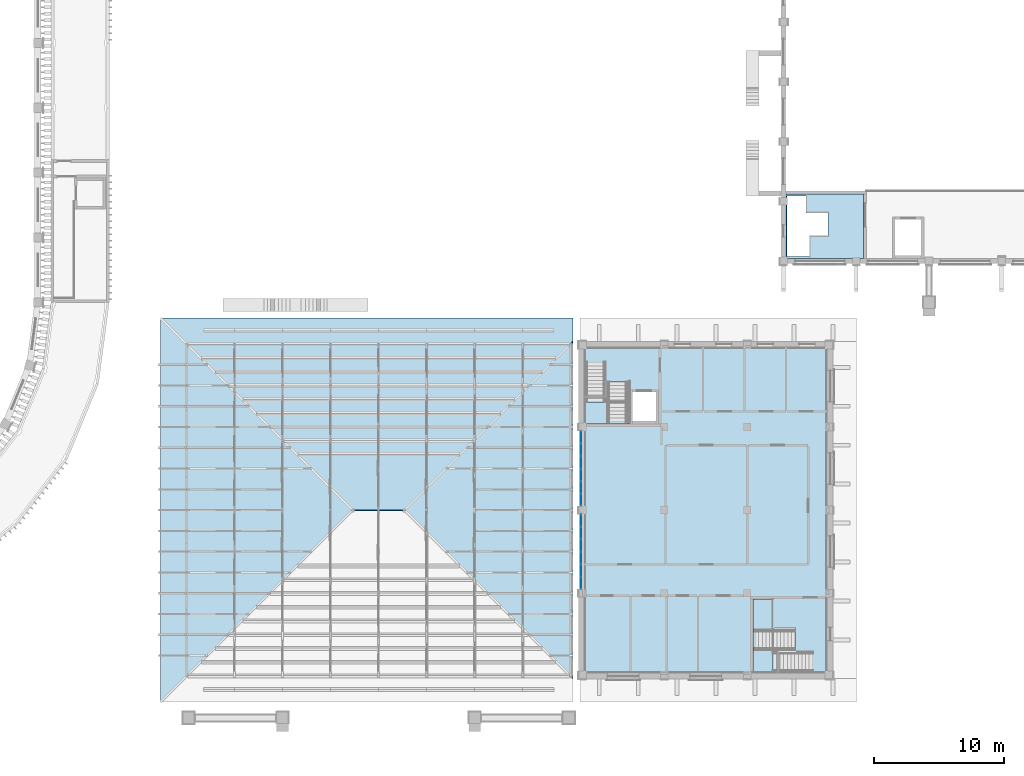
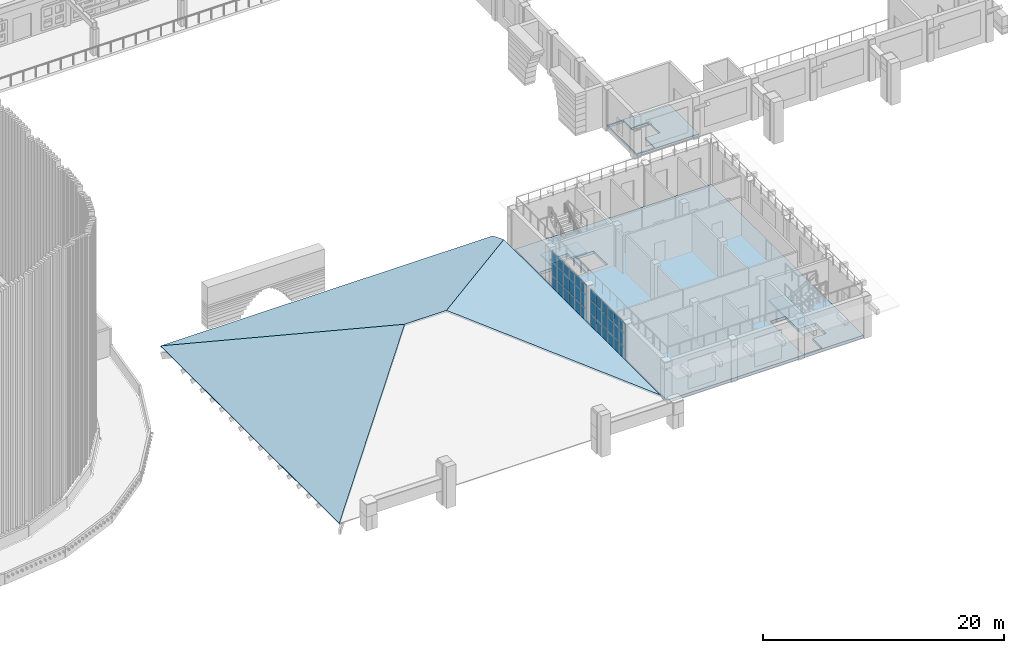
# One storey, part 18 of 68: 36 plates, 7 slabs, 4 elements without a shape of their own.
"""IFC4 building model written with IfcOpenShell, lengths in metres."""

from ifc_helpers import new_model, si_unit, direction, frame, origin, origin_2d, place, context, subcontext, project, spatial, polyline, rectangle, outline, extrude, material, layer, layer_set, type_object, element, aggregate, save


model = new_model("IFC4")

# Units and contexts
model_context = context("Model", 3, precision=1e-05, world=origin(), true_north=direction((0.0, 1.0)))
body_context = subcontext(model_context, "Body", "Model", "MODEL_VIEW")
ifc_project = project(units=[si_unit("LENGTHUNIT", "METRE"), si_unit("AREAUNIT", "SQUARE_METRE"), si_unit("VOLUMEUNIT", "CUBIC_METRE"), si_unit("PLANEANGLEUNIT", "RADIAN"), si_unit("MASSUNIT", "GRAM", prefix="KILO")], contexts=[model_context])

# Site, building, storey
site_placement = place(None, origin())
site = spatial("IfcSite", under=ifc_project, at=site_placement, CompositionType="ELEMENT")
building_placement = place(site_placement, origin())
building = spatial("IfcBuilding", under=site, at=building_placement, Name="Wasatch Bagh Community Centre", CompositionType="ELEMENT")
storey_placement = place(building_placement, frame((0.0, 0.0, 8.39990234375)))
storey = spatial("IfcBuildingStorey", under=building, at=storey_placement, Name="L02", CompositionType="ELEMENT", Elevation=8.39990234375)

# Slabs
ifc_material_1 = material(Name="ASTM A653 Grade 50 steel roof deck assembly", Category="steel")
ifc_layer_1 = layer(ifc_material_1, 0.14990234375)
ifc_layer_set_1 = layer_set([ifc_layer_1], Name="ASTM A653 Grade 50 steel roof deck assembly")
slab_type_1 = type_object("IfcSlabType", Name="DH roof deck 150", PredefinedType="ROOF", material=ifc_layer_set_1)
slab_1_placement = place(storey_placement, frame((64.199951171875, 33.800048828125, 0.30419921875), z_axis=(-2.58954e-07, 0.374600558418, 0.927186292841), x_axis=(1.0, 9.7004e-08, 2.40099e-07)))
element("IfcSlab", 1, at=slab_1_placement, inside=storey, type_object=slab_type_1, Name="DH.roof.N", PredefinedType="ROOF", context=body_context, shape_type="SweptSolid", body=[
    extrude(outline(polyline([(0.0, 0.0), (31.780029296873934, -4.2060518561187565e-22), (31.780029296876332, -1.9630055407928293), (18.8000488281235, -15.96232351931405), (14.800048828123634, -15.96232351931405), (0.0, 0.0)])), origin(), (0.0, 0.0, -1.0), 0.14990234375),
])
slab_2_placement = place(storey_placement, frame((64.199951171875, 4.199951171875, 0.30419921875), z_axis=(-0.374600363178, 0.0, 0.927186371722), x_axis=(0.0, 1.0, 0.0)))
element("IfcSlab", 2, at=slab_2_placement, inside=storey, type_object=slab_type_1, Name="DH.roof.W", PredefinedType="ROOF", context=body_context, shape_type="SweptSolid", body=[
    extrude(outline(polyline([(0.0, 0.0), (29.60009765625, 0.0), (14.800048828125, -15.962323519314403), (0.0, 0.0)])), origin(), (0.0, 0.0, -1.0), 0.14990234375),
])
slab_3_placement = place(storey_placement, frame((95.97998046875, 6.02001953125, 1.03955078125), z_axis=(0.374599722147, 0.0, 0.92718663071), x_axis=(0.0, 1.0, 0.0)))
element("IfcSlab", 3, at=slab_3_placement, inside=storey, type_object=slab_type_1, Name="DH.roof.E", PredefinedType="ROOF", context=body_context, shape_type="SweptSolid", body=[
    extrude(outline(polyline([(0.0, 0.0), (25.9599609375, 0.0), (12.97998046875, 13.999317978526912), (0.0, 0.0)])), origin(), (0.0, 0.0, -1.0), 0.14990234375),
])
ifc_material_2 = material(Name="Concrete C35", Category="concrete")
ifc_layer_2 = layer(ifc_material_2, 0.280029296875)
ifc_layer_set_2 = layer_set([ifc_layer_2], Name="Concrete C35")
slab_type_2 = type_object("IfcSlabType", Name="KW floor slab 280", PredefinedType="FLOOR", material=ifc_layer_set_2)
slab_4_placement = place(storey_placement, frame((0.0, 0.0, -0.27978515625)))
element("IfcSlab", 4, at=slab_4_placement, inside=storey, type_object=slab_type_2, Name="KW.slab.L02.floor", PredefinedType="FLOOR", context=body_context, shape_type="SweptSolid", body=[
    extrude(outline(polyline([(96.800048828125, 6.39990234375), (115.60009765625, 6.39990234375), (115.60009765625, 31.60009765625), (96.800048828125, 31.60009765625), (96.800048828125, 6.39990234375)]), holes=[polyline([(96.949951171875, 27.68798828125), (96.949951171875, 25.699951171875), (100.300048828125, 25.699951171875), (100.300048828125, 28.860107421875), (98.550048828125, 28.860107421875), (98.550048828125, 27.68798828125), (96.949951171875, 27.68798828125)]), polyline([(111.738037109375, 6.550048828125), (109.89990234375, 6.550048828125), (109.89990234375, 12.0), (111.3701171875, 12.0), (111.3701171875, 9.89990234375), (113.06005859375, 9.89990234375), (113.06005859375, 8.14990234375), (111.738037109375, 8.14990234375), (111.738037109375, 6.550048828125)]), polyline([(100.550048828125, 25.85009765625), (102.35009765625, 25.85009765625), (102.35009765625, 28.10009765625), (100.550048828125, 28.10009765625), (100.550048828125, 25.85009765625)])]), origin(), (0.0, 0.0, 1.0), 0.27978515625),
])

# Stair, slab
stair_type = type_object("IfcStairType", Name="KW stair 1500", PredefinedType="HALF_TURN_STAIR", material=ifc_material_2)
stair_1_placement = place(storey_placement, origin())
stair_1 = element("IfcStair", 5, at=stair_1_placement, inside=storey, type_object=stair_type, Name="ST4 stair", PredefinedType="HALF_TURN_STAIR")
ifc_layer_3 = layer(ifc_material_2, 0.199951171875)
ifc_layer_set_3 = layer_set([ifc_layer_3], Name="Concrete C35")
slab_type_3 = type_object("IfcSlabType", Name="KW landing 200", PredefinedType="LANDING", material=ifc_layer_set_3)
slab_5_placement = place(storey_placement, frame((0.0, 0.0, 1.900146484375)))
slab_5 = element("IfcSlab", 6, at=slab_5_placement, type_object=slab_type_3, Name="ST4 landing 1", PredefinedType="LANDING", context=body_context, shape_type="SweptSolid", body=[
    extrude(outline(polyline([(96.800048828125, 27.340087890625), (96.800048828125, 25.64990234375), (100.300048828125, 25.64990234375), (100.300048828125, 27.340087890625), (96.800048828125, 27.340087890625)])), origin(), (0.0, 0.0, 1.0), 0.199951171875),
])
aggregate(stair_1, [slab_5])

stair_2_placement = place(storey_placement, origin())
stair_2 = element("IfcStair", 7, at=stair_2_placement, inside=storey, type_object=stair_type, Name="ST5 stair", PredefinedType="HALF_TURN_STAIR")
slab_6_placement = place(storey_placement, frame((0.0, 0.0, 1.900146484375)))
slab_6 = element("IfcSlab", 8, at=slab_6_placement, type_object=slab_type_3, Name="ST5 landing 1", PredefinedType="LANDING", context=body_context, shape_type="SweptSolid", body=[
    extrude(outline(polyline([(111.389892578125, 6.39990234375), (109.85009765625, 6.39990234375), (109.85009765625, 12.14990234375), (111.389892578125, 12.14990234375), (111.389892578125, 6.39990234375)])), origin(), (0.0, 0.0, 1.0), 0.199951171875),
])
aggregate(stair_2, [slab_6])

# Curtain wall, plates
ifc_material_3 = material(Name="Aluminium alloy 6063-T6", Category="aluminium")
ifc_layer_4 = layer(ifc_material_3, 0.10009765625)
ifc_layer_set_4 = layer_set([ifc_layer_4], Name="Aluminium alloy 6063-T6")
curtain_wall_type = type_object("IfcCurtainWallType", Name="KW-CW1", PredefinedType="NOTDEFINED", material=ifc_layer_set_4)
curtain_wall_1_placement = place(storey_placement, origin())
curtain_wall_1 = element("IfcCurtainWall", 9, at=curtain_wall_1_placement, inside=storey, type_object=curtain_wall_type, Name="Curtain wall KW-CW1", PredefinedType="NOTDEFINED")
ifc_material_4 = material(Name="Laminated glass 8+8 mm", Category="glass")
ifc_layer_5 = layer(ifc_material_4, 0.028076171875)
ifc_layer_set_5 = layer_set([ifc_layer_5], Name="Laminated glass 8+8 mm")
plate_type = type_object("IfcPlateType", Name="KW-CW1 panel", PredefinedType="CURTAIN_PANEL", material=ifc_layer_set_5)
plate_1_placement = place(storey_placement, frame((96.60009765625, 13.3984375, 0.06005859375), z_axis=(0.0, 0.0, 1.0), x_axis=(0.0, 1.0, 0.0)))
plate_1 = element("IfcPlate", 10, at=plate_1_placement, type_object=plate_type, Name="KW-CW1 panel 1.1", PredefinedType="CURTAIN_PANEL", context=body_context, shape_type="SweptSolid", body=[
    extrude(rectangle(XDim=0.876708984375, YDim=0.028076171875, at=origin_2d()), origin(), (0.0, 0.0, 1.0), 1.31005859375),
])
plate_2_placement = place(storey_placement, frame((96.60009765625, 13.3984375, 1.43017578125), z_axis=(0.0, 0.0, 1.0), x_axis=(0.0, 1.0, 0.0)))
plate_2 = element("IfcPlate", 11, at=plate_2_placement, type_object=plate_type, Name="KW-CW1 panel 1.2", PredefinedType="CURTAIN_PANEL", context=body_context, shape_type="SweptSolid", body=[
    extrude(rectangle(XDim=0.876708984375, YDim=0.028076171875, at=origin_2d()), origin(), (0.0, 0.0, 1.0), 1.340087890625),
])
plate_3_placement = place(storey_placement, frame((96.60009765625, 13.3984375, 2.830078125), z_axis=(0.0, 0.0, 1.0), x_axis=(0.0, 1.0, 0.0)))
plate_3 = element("IfcPlate", 12, at=plate_3_placement, type_object=plate_type, Name="KW-CW1 panel 1.3", PredefinedType="CURTAIN_PANEL", context=body_context, shape_type="SweptSolid", body=[
    extrude(rectangle(XDim=0.876708984375, YDim=0.028076171875, at=origin_2d()), origin(), (0.0, 0.0, 1.0), 1.030029296875),
])
plate_4_placement = place(storey_placement, frame((96.60009765625, 14.35009765625, 0.06005859375), z_axis=(0.0, 0.0, 1.0), x_axis=(0.0, 1.0, 0.0)))
plate_4 = element("IfcPlate", 13, at=plate_4_placement, type_object=plate_type, Name="KW-CW1 panel 2.1", PredefinedType="CURTAIN_PANEL", context=body_context, shape_type="SweptSolid", body=[
    extrude(rectangle(XDim=0.90673828125, YDim=0.028076171875, at=origin_2d()), origin(), (0.0, 0.0, 1.0), 1.31005859375),
])
plate_5_placement = place(storey_placement, frame((96.60009765625, 14.35009765625, 1.43017578125), z_axis=(0.0, 0.0, 1.0), x_axis=(0.0, 1.0, 0.0)))
plate_5 = element("IfcPlate", 14, at=plate_5_placement, type_object=plate_type, Name="KW-CW1 panel 2.2", PredefinedType="CURTAIN_PANEL", context=body_context, shape_type="SweptSolid", body=[
    extrude(rectangle(XDim=0.90673828125, YDim=0.028076171875, at=origin_2d()), origin(), (0.0, 0.0, 1.0), 1.340087890625),
])
plate_6_placement = place(storey_placement, frame((96.60009765625, 14.35009765625, 2.830078125), z_axis=(0.0, 0.0, 1.0), x_axis=(0.0, 1.0, 0.0)))
plate_6 = element("IfcPlate", 15, at=plate_6_placement, type_object=plate_type, Name="KW-CW1 panel 2.3", PredefinedType="CURTAIN_PANEL", context=body_context, shape_type="SweptSolid", body=[
    extrude(rectangle(XDim=0.90673828125, YDim=0.028076171875, at=origin_2d()), origin(), (0.0, 0.0, 1.0), 1.030029296875),
])
plate_7_placement = place(storey_placement, frame((96.60009765625, 15.316650390625, 0.06005859375), z_axis=(0.0, 0.0, 1.0), x_axis=(0.0, 1.0, 0.0)))
plate_7 = element("IfcPlate", 16, at=plate_7_placement, type_object=plate_type, Name="KW-CW1 panel 3.1", PredefinedType="CURTAIN_PANEL", context=body_context, shape_type="SweptSolid", body=[
    extrude(rectangle(XDim=0.90673828125, YDim=0.028076171875, at=origin_2d()), origin(), (0.0, 0.0, 1.0), 1.31005859375),
])
plate_8_placement = place(storey_placement, frame((96.60009765625, 15.316650390625, 1.43017578125), z_axis=(0.0, 0.0, 1.0), x_axis=(0.0, 1.0, 0.0)))
plate_8 = element("IfcPlate", 17, at=plate_8_placement, type_object=plate_type, Name="KW-CW1 panel 3.2", PredefinedType="CURTAIN_PANEL", context=body_context, shape_type="SweptSolid", body=[
    extrude(rectangle(XDim=0.90673828125, YDim=0.028076171875, at=origin_2d()), origin(), (0.0, 0.0, 1.0), 1.340087890625),
])
plate_9_placement = place(storey_placement, frame((96.60009765625, 15.316650390625, 2.830078125), z_axis=(0.0, 0.0, 1.0), x_axis=(0.0, 1.0, 0.0)))
plate_9 = element("IfcPlate", 18, at=plate_9_placement, type_object=plate_type, Name="KW-CW1 panel 3.3", PredefinedType="CURTAIN_PANEL", context=body_context, shape_type="SweptSolid", body=[
    extrude(rectangle(XDim=0.90673828125, YDim=0.028076171875, at=origin_2d()), origin(), (0.0, 0.0, 1.0), 1.030029296875),
])
plate_10_placement = place(storey_placement, frame((96.60009765625, 16.283447265625, 0.06005859375), z_axis=(0.0, 0.0, 1.0), x_axis=(0.0, 1.0, 0.0)))
plate_10 = element("IfcPlate", 19, at=plate_10_placement, type_object=plate_type, Name="KW-CW1 panel 4.1", PredefinedType="CURTAIN_PANEL", context=body_context, shape_type="SweptSolid", body=[
    extrude(rectangle(XDim=0.90673828125, YDim=0.028076171875, at=origin_2d()), origin(), (0.0, 0.0, 1.0), 1.31005859375),
])
plate_11_placement = place(storey_placement, frame((96.60009765625, 16.283447265625, 1.43017578125), z_axis=(0.0, 0.0, 1.0), x_axis=(0.0, 1.0, 0.0)))
plate_11 = element("IfcPlate", 20, at=plate_11_placement, type_object=plate_type, Name="KW-CW1 panel 4.2", PredefinedType="CURTAIN_PANEL", context=body_context, shape_type="SweptSolid", body=[
    extrude(rectangle(XDim=0.90673828125, YDim=0.028076171875, at=origin_2d()), origin(), (0.0, 0.0, 1.0), 1.340087890625),
])
plate_12_placement = place(storey_placement, frame((96.60009765625, 16.283447265625, 2.830078125), z_axis=(0.0, 0.0, 1.0), x_axis=(0.0, 1.0, 0.0)))
plate_12 = element("IfcPlate", 21, at=plate_12_placement, type_object=plate_type, Name="KW-CW1 panel 4.3", PredefinedType="CURTAIN_PANEL", context=body_context, shape_type="SweptSolid", body=[
    extrude(rectangle(XDim=0.90673828125, YDim=0.028076171875, at=origin_2d()), origin(), (0.0, 0.0, 1.0), 1.030029296875),
])
plate_13_placement = place(storey_placement, frame((96.60009765625, 17.25, 0.06005859375), z_axis=(0.0, 0.0, 1.0), x_axis=(0.0, 1.0, 0.0)))
plate_13 = element("IfcPlate", 22, at=plate_13_placement, type_object=plate_type, Name="KW-CW1 panel 5.1", PredefinedType="CURTAIN_PANEL", context=body_context, shape_type="SweptSolid", body=[
    extrude(rectangle(XDim=0.90673828125, YDim=0.028076171875, at=origin_2d()), origin(), (0.0, 0.0, 1.0), 1.31005859375),
])
plate_14_placement = place(storey_placement, frame((96.60009765625, 17.25, 1.43017578125), z_axis=(0.0, 0.0, 1.0), x_axis=(0.0, 1.0, 0.0)))
plate_14 = element("IfcPlate", 23, at=plate_14_placement, type_object=plate_type, Name="KW-CW1 panel 5.2", PredefinedType="CURTAIN_PANEL", context=body_context, shape_type="SweptSolid", body=[
    extrude(rectangle(XDim=0.90673828125, YDim=0.028076171875, at=origin_2d()), origin(), (0.0, 0.0, 1.0), 1.340087890625),
])
plate_15_placement = place(storey_placement, frame((96.60009765625, 17.25, 2.830078125), z_axis=(0.0, 0.0, 1.0), x_axis=(0.0, 1.0, 0.0)))
plate_15 = element("IfcPlate", 24, at=plate_15_placement, type_object=plate_type, Name="KW-CW1 panel 5.3", PredefinedType="CURTAIN_PANEL", context=body_context, shape_type="SweptSolid", body=[
    extrude(rectangle(XDim=0.90673828125, YDim=0.028076171875, at=origin_2d()), origin(), (0.0, 0.0, 1.0), 1.030029296875),
])
plate_16_placement = place(storey_placement, frame((96.60009765625, 18.20166015625, 0.06005859375), z_axis=(0.0, 0.0, 1.0), x_axis=(0.0, 1.0, 0.0)))
plate_16 = element("IfcPlate", 25, at=plate_16_placement, type_object=plate_type, Name="KW-CW1 panel 6.1", PredefinedType="CURTAIN_PANEL", context=body_context, shape_type="SweptSolid", body=[
    extrude(rectangle(XDim=0.876708984375, YDim=0.028076171875, at=origin_2d()), origin(), (0.0, 0.0, 1.0), 1.31005859375),
])
plate_17_placement = place(storey_placement, frame((96.60009765625, 18.20166015625, 1.43017578125), z_axis=(0.0, 0.0, 1.0), x_axis=(0.0, 1.0, 0.0)))
plate_17 = element("IfcPlate", 26, at=plate_17_placement, type_object=plate_type, Name="KW-CW1 panel 6.2", PredefinedType="CURTAIN_PANEL", context=body_context, shape_type="SweptSolid", body=[
    extrude(rectangle(XDim=0.876708984375, YDim=0.028076171875, at=origin_2d()), origin(), (0.0, 0.0, 1.0), 1.340087890625),
])
plate_18_placement = place(storey_placement, frame((96.60009765625, 18.20166015625, 2.830078125), z_axis=(0.0, 0.0, 1.0), x_axis=(0.0, 1.0, 0.0)))
plate_18 = element("IfcPlate", 27, at=plate_18_placement, type_object=plate_type, Name="KW-CW1 panel 6.3", PredefinedType="CURTAIN_PANEL", context=body_context, shape_type="SweptSolid", body=[
    extrude(rectangle(XDim=0.876708984375, YDim=0.028076171875, at=origin_2d()), origin(), (0.0, 0.0, 1.0), 1.030029296875),
])
aggregate(curtain_wall_1, [plate_1, plate_2, plate_3, plate_4, plate_5, plate_6, plate_7, plate_8, plate_9, plate_10, plate_11, plate_12, plate_13, plate_14, plate_15, plate_16, plate_17, plate_18])

curtain_wall_2_placement = place(storey_placement, origin())
curtain_wall_2 = element("IfcCurtainWall", 28, at=curtain_wall_2_placement, inside=storey, type_object=curtain_wall_type, Name="Curtain wall KW-CW1", PredefinedType="NOTDEFINED")
plate_19_placement = place(storey_placement, frame((96.60009765625, 19.79833984375, 0.06005859375), z_axis=(0.0, 0.0, 1.0), x_axis=(0.0, 1.0, 0.0)))
plate_19 = element("IfcPlate", 29, at=plate_19_placement, type_object=plate_type, Name="KW-CW1 panel 1.1", PredefinedType="CURTAIN_PANEL", context=body_context, shape_type="SweptSolid", body=[
    extrude(rectangle(XDim=0.876708984375, YDim=0.028076171875, at=origin_2d()), origin(), (0.0, 0.0, 1.0), 1.31005859375),
])
plate_20_placement = place(storey_placement, frame((96.60009765625, 19.79833984375, 1.43017578125), z_axis=(0.0, 0.0, 1.0), x_axis=(0.0, 1.0, 0.0)))
plate_20 = element("IfcPlate", 30, at=plate_20_placement, type_object=plate_type, Name="KW-CW1 panel 1.2", PredefinedType="CURTAIN_PANEL", context=body_context, shape_type="SweptSolid", body=[
    extrude(rectangle(XDim=0.876708984375, YDim=0.028076171875, at=origin_2d()), origin(), (0.0, 0.0, 1.0), 1.340087890625),
])
plate_21_placement = place(storey_placement, frame((96.60009765625, 19.79833984375, 2.830078125), z_axis=(0.0, 0.0, 1.0), x_axis=(0.0, 1.0, 0.0)))
plate_21 = element("IfcPlate", 31, at=plate_21_placement, type_object=plate_type, Name="KW-CW1 panel 1.3", PredefinedType="CURTAIN_PANEL", context=body_context, shape_type="SweptSolid", body=[
    extrude(rectangle(XDim=0.876708984375, YDim=0.028076171875, at=origin_2d()), origin(), (0.0, 0.0, 1.0), 1.030029296875),
])
plate_22_placement = place(storey_placement, frame((96.60009765625, 20.75, 0.06005859375), z_axis=(0.0, 0.0, 1.0), x_axis=(0.0, 1.0, 0.0)))
plate_22 = element("IfcPlate", 32, at=plate_22_placement, type_object=plate_type, Name="KW-CW1 panel 2.1", PredefinedType="CURTAIN_PANEL", context=body_context, shape_type="SweptSolid", body=[
    extrude(rectangle(XDim=0.90673828125, YDim=0.028076171875, at=origin_2d()), origin(), (0.0, 0.0, 1.0), 1.31005859375),
])
plate_23_placement = place(storey_placement, frame((96.60009765625, 20.75, 1.43017578125), z_axis=(0.0, 0.0, 1.0), x_axis=(0.0, 1.0, 0.0)))
plate_23 = element("IfcPlate", 33, at=plate_23_placement, type_object=plate_type, Name="KW-CW1 panel 2.2", PredefinedType="CURTAIN_PANEL", context=body_context, shape_type="SweptSolid", body=[
    extrude(rectangle(XDim=0.90673828125, YDim=0.028076171875, at=origin_2d()), origin(), (0.0, 0.0, 1.0), 1.340087890625),
])
plate_24_placement = place(storey_placement, frame((96.60009765625, 20.75, 2.830078125), z_axis=(0.0, 0.0, 1.0), x_axis=(0.0, 1.0, 0.0)))
plate_24 = element("IfcPlate", 34, at=plate_24_placement, type_object=plate_type, Name="KW-CW1 panel 2.3", PredefinedType="CURTAIN_PANEL", context=body_context, shape_type="SweptSolid", body=[
    extrude(rectangle(XDim=0.90673828125, YDim=0.028076171875, at=origin_2d()), origin(), (0.0, 0.0, 1.0), 1.030029296875),
])
plate_25_placement = place(storey_placement, frame((96.60009765625, 21.716552734375, 0.06005859375), z_axis=(0.0, 0.0, 1.0), x_axis=(0.0, 1.0, 0.0)))
plate_25 = element("IfcPlate", 35, at=plate_25_placement, type_object=plate_type, Name="KW-CW1 panel 3.1", PredefinedType="CURTAIN_PANEL", context=body_context, shape_type="SweptSolid", body=[
    extrude(rectangle(XDim=0.90673828125, YDim=0.028076171875, at=origin_2d()), origin(), (0.0, 0.0, 1.0), 1.31005859375),
])
plate_26_placement = place(storey_placement, frame((96.60009765625, 21.716552734375, 1.43017578125), z_axis=(0.0, 0.0, 1.0), x_axis=(0.0, 1.0, 0.0)))
plate_26 = element("IfcPlate", 36, at=plate_26_placement, type_object=plate_type, Name="KW-CW1 panel 3.2", PredefinedType="CURTAIN_PANEL", context=body_context, shape_type="SweptSolid", body=[
    extrude(rectangle(XDim=0.90673828125, YDim=0.028076171875, at=origin_2d()), origin(), (0.0, 0.0, 1.0), 1.340087890625),
])
plate_27_placement = place(storey_placement, frame((96.60009765625, 21.716552734375, 2.830078125), z_axis=(0.0, 0.0, 1.0), x_axis=(0.0, 1.0, 0.0)))
plate_27 = element("IfcPlate", 37, at=plate_27_placement, type_object=plate_type, Name="KW-CW1 panel 3.3", PredefinedType="CURTAIN_PANEL", context=body_context, shape_type="SweptSolid", body=[
    extrude(rectangle(XDim=0.90673828125, YDim=0.028076171875, at=origin_2d()), origin(), (0.0, 0.0, 1.0), 1.030029296875),
])
plate_28_placement = place(storey_placement, frame((96.60009765625, 22.683349609375, 0.06005859375), z_axis=(0.0, 0.0, 1.0), x_axis=(0.0, 1.0, 0.0)))
plate_28 = element("IfcPlate", 38, at=plate_28_placement, type_object=plate_type, Name="KW-CW1 panel 4.1", PredefinedType="CURTAIN_PANEL", context=body_context, shape_type="SweptSolid", body=[
    extrude(rectangle(XDim=0.90673828125, YDim=0.028076171875, at=origin_2d()), origin(), (0.0, 0.0, 1.0), 1.31005859375),
])
plate_29_placement = place(storey_placement, frame((96.60009765625, 22.683349609375, 1.43017578125), z_axis=(0.0, 0.0, 1.0), x_axis=(0.0, 1.0, 0.0)))
plate_29 = element("IfcPlate", 39, at=plate_29_placement, type_object=plate_type, Name="KW-CW1 panel 4.2", PredefinedType="CURTAIN_PANEL", context=body_context, shape_type="SweptSolid", body=[
    extrude(rectangle(XDim=0.90673828125, YDim=0.028076171875, at=origin_2d()), origin(), (0.0, 0.0, 1.0), 1.340087890625),
])
plate_30_placement = place(storey_placement, frame((96.60009765625, 22.683349609375, 2.830078125), z_axis=(0.0, 0.0, 1.0), x_axis=(0.0, 1.0, 0.0)))
plate_30 = element("IfcPlate", 40, at=plate_30_placement, type_object=plate_type, Name="KW-CW1 panel 4.3", PredefinedType="CURTAIN_PANEL", context=body_context, shape_type="SweptSolid", body=[
    extrude(rectangle(XDim=0.90673828125, YDim=0.028076171875, at=origin_2d()), origin(), (0.0, 0.0, 1.0), 1.030029296875),
])
plate_31_placement = place(storey_placement, frame((96.60009765625, 23.64990234375, 0.06005859375), z_axis=(0.0, 0.0, 1.0), x_axis=(0.0, 1.0, 0.0)))
plate_31 = element("IfcPlate", 41, at=plate_31_placement, type_object=plate_type, Name="KW-CW1 panel 5.1", PredefinedType="CURTAIN_PANEL", context=body_context, shape_type="SweptSolid", body=[
    extrude(rectangle(XDim=0.90673828125, YDim=0.028076171875, at=origin_2d()), origin(), (0.0, 0.0, 1.0), 1.31005859375),
])
plate_32_placement = place(storey_placement, frame((96.60009765625, 23.64990234375, 1.43017578125), z_axis=(0.0, 0.0, 1.0), x_axis=(0.0, 1.0, 0.0)))
plate_32 = element("IfcPlate", 42, at=plate_32_placement, type_object=plate_type, Name="KW-CW1 panel 5.2", PredefinedType="CURTAIN_PANEL", context=body_context, shape_type="SweptSolid", body=[
    extrude(rectangle(XDim=0.90673828125, YDim=0.028076171875, at=origin_2d()), origin(), (0.0, 0.0, 1.0), 1.340087890625),
])
plate_33_placement = place(storey_placement, frame((96.60009765625, 23.64990234375, 2.830078125), z_axis=(0.0, 0.0, 1.0), x_axis=(0.0, 1.0, 0.0)))
plate_33 = element("IfcPlate", 43, at=plate_33_placement, type_object=plate_type, Name="KW-CW1 panel 5.3", PredefinedType="CURTAIN_PANEL", context=body_context, shape_type="SweptSolid", body=[
    extrude(rectangle(XDim=0.90673828125, YDim=0.028076171875, at=origin_2d()), origin(), (0.0, 0.0, 1.0), 1.030029296875),
])
plate_34_placement = place(storey_placement, frame((96.60009765625, 24.6015625, 0.06005859375), z_axis=(0.0, 0.0, 1.0), x_axis=(0.0, 1.0, 0.0)))
plate_34 = element("IfcPlate", 44, at=plate_34_placement, type_object=plate_type, Name="KW-CW1 panel 6.1", PredefinedType="CURTAIN_PANEL", context=body_context, shape_type="SweptSolid", body=[
    extrude(rectangle(XDim=0.876708984375, YDim=0.028076171875, at=origin_2d()), origin(), (0.0, 0.0, 1.0), 1.31005859375),
])
plate_35_placement = place(storey_placement, frame((96.60009765625, 24.6015625, 1.43017578125), z_axis=(0.0, 0.0, 1.0), x_axis=(0.0, 1.0, 0.0)))
plate_35 = element("IfcPlate", 45, at=plate_35_placement, type_object=plate_type, Name="KW-CW1 panel 6.2", PredefinedType="CURTAIN_PANEL", context=body_context, shape_type="SweptSolid", body=[
    extrude(rectangle(XDim=0.876708984375, YDim=0.028076171875, at=origin_2d()), origin(), (0.0, 0.0, 1.0), 1.340087890625),
])
plate_36_placement = place(storey_placement, frame((96.60009765625, 24.6015625, 2.830078125), z_axis=(0.0, 0.0, 1.0), x_axis=(0.0, 1.0, 0.0)))
plate_36 = element("IfcPlate", 46, at=plate_36_placement, type_object=plate_type, Name="KW-CW1 panel 6.3", PredefinedType="CURTAIN_PANEL", context=body_context, shape_type="SweptSolid", body=[
    extrude(rectangle(XDim=0.876708984375, YDim=0.028076171875, at=origin_2d()), origin(), (0.0, 0.0, 1.0), 1.030029296875),
])
aggregate(curtain_wall_2, [plate_19, plate_20, plate_21, plate_22, plate_23, plate_24, plate_25, plate_26, plate_27, plate_28, plate_29, plate_30, plate_31, plate_32, plate_33, plate_34, plate_35, plate_36])

# Slab
ifc_layer_6 = layer(ifc_material_2, 0.219970703125)
ifc_layer_set_6 = layer_set([ifc_layer_6], Name="Concrete C35")
slab_type_4 = type_object("IfcSlabType", Name="SH gallery floor slab 220", PredefinedType="FLOOR", material=ifc_layer_set_6)
slab_7_placement = place(storey_placement, frame((0.0, 0.0, -0.219970703125)))
element("IfcSlab", 47, at=slab_7_placement, inside=storey, type_object=slab_type_4, Name="SH.slab.L02.core.ST1", PredefinedType="FLOOR", context=body_context, shape_type="SweptSolid", body=[
    extrude(outline(polyline([(112.39990234375, 38.39990234375), (118.35009765625, 38.39990234375), (118.35009765625, 43.35009765625), (112.39990234375, 43.35009765625), (112.39990234375, 38.39990234375)]), holes=[polyline([(114.19189453125, 38.550048828125), (112.449951171875, 38.550048828125), (112.449951171875, 43.199951171875), (113.919921875, 43.199951171875), (113.919921875, 41.89990234375), (115.610107421875, 41.89990234375), (115.610107421875, 40.14990234375), (114.19189453125, 40.14990234375), (114.19189453125, 38.550048828125)])]), origin(), (0.0, 0.0, 1.0), 0.219970703125),
])

save(model, "model.ifc")
